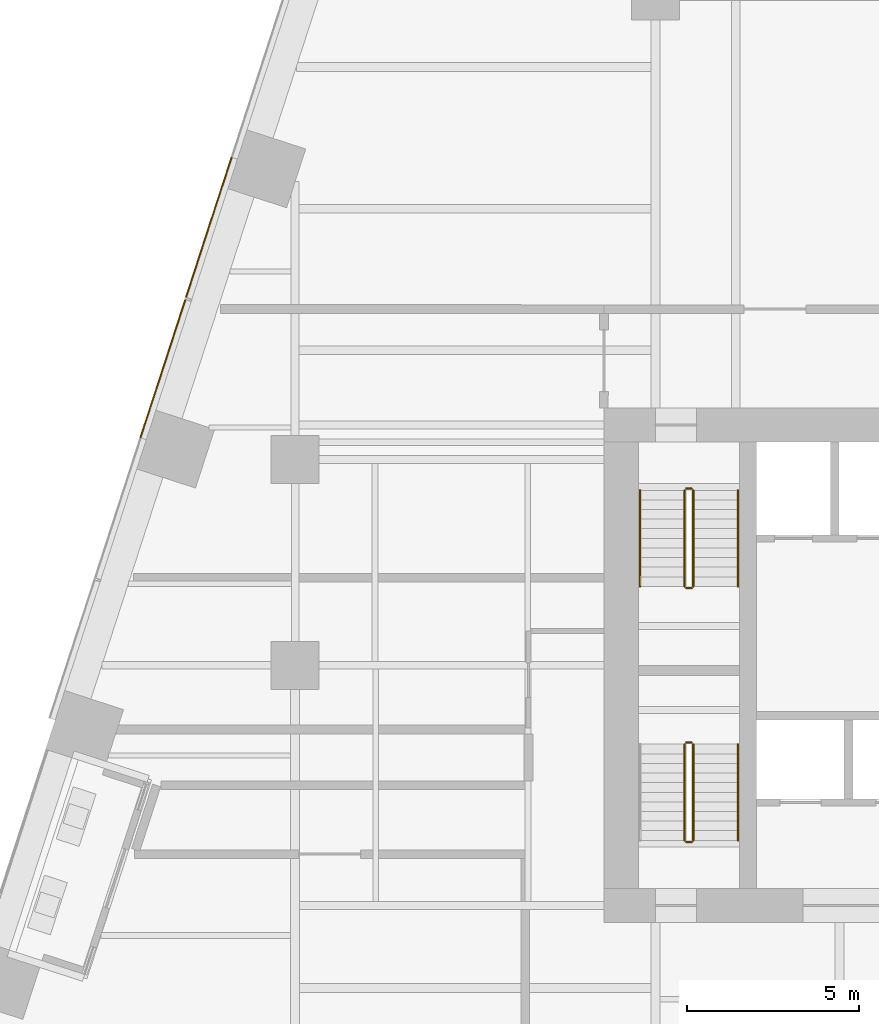
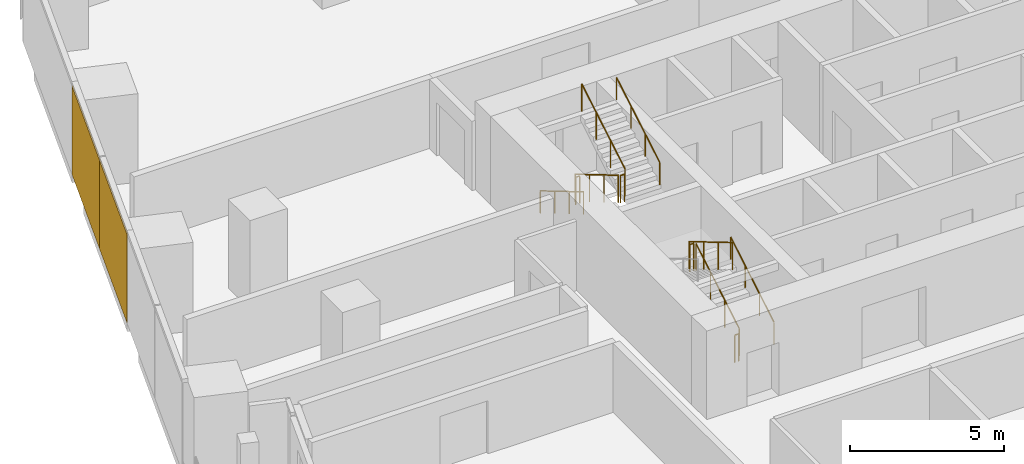
# One storey, part 28 of 31: 11 railings, 2 coverings, 1 element without a shape of its own.
"""IFC4 building model written with IfcOpenShell, lengths in metres."""

from ifc_helpers import new_model, si_unit, direction, frame, origin, origin_2d, place, context, subcontext, project, spatial, rectangle, circle, extrude, material, layer, layer_set, type_object, element, aggregate, save


model = new_model("IFC4")

# Units and contexts
model_context = context("Model", 3, precision=1e-05, world=origin(), true_north=direction((0.0, 1.0)))
body_context = subcontext(model_context, "Body", "Model", "MODEL_VIEW")
ifc_project = project(units=[si_unit("LENGTHUNIT", "METRE"), si_unit("AREAUNIT", "SQUARE_METRE"), si_unit("VOLUMEUNIT", "CUBIC_METRE"), si_unit("PLANEANGLEUNIT", "RADIAN"), si_unit("MASSUNIT", "GRAM", prefix="KILO")], contexts=[model_context])

# Site, building, storey
site_placement = place(None, origin())
site = spatial("IfcSite", under=ifc_project, at=site_placement, CompositionType="ELEMENT")
building_placement = place(site_placement, origin())
building = spatial("IfcBuilding", under=site, at=building_placement, Name="Isthmus Gate Tower", CompositionType="ELEMENT")
storey_placement = place(building_placement, frame((0.0, 0.0, 54.25)))
storey = spatial("IfcBuildingStorey", under=building, at=storey_placement, Name="L11", CompositionType="ELEMENT", Elevation=54.25)

# Curtain wall, coverings
ifc_material_1 = material(Name="Aluminium, pale champagne anodised", Category="aluminium")
ifc_layer_1 = layer(ifc_material_1, 0.199951171875)
ifc_layer_set_1 = layer_set([ifc_layer_1], Name="CW-1 UNITISED CURTAIN WALL 200 DEEP")
curtain_wall_type = type_object("IfcCurtainWallType", Name="CW-1 UNITISED CURTAIN WALL 200 DEEP", PredefinedType="NOTDEFINED", material=ifc_layer_set_1)
curtain_wall_placement = place(storey_placement, origin())
curtain_wall = element("IfcCurtainWall", 1, at=curtain_wall_placement, inside=storey, type_object=curtain_wall_type, Name="CW-1 NW L11", PredefinedType="NOTDEFINED")
ifc_material_2 = material(Name="Aluminium composite panel, pale champagne anodised", Category="aluminium")
ifc_layer_2 = layer(ifc_material_2, 0.0400390625)
ifc_layer_set_2 = layer_set([ifc_layer_2], Name="CW-1 PALE METAL PANEL 40")
covering_type = type_object("IfcCoveringType", Name="CW-1 PALE METAL PANEL 40", PredefinedType="CLADDING", material=ifc_layer_set_2)
covering_1_placement = place(storey_placement, frame((-26.51806640625, 20.25927734375, 0.0), z_axis=(0.0, 0.0, 1.0), x_axis=(-0.309016994375, -0.951056516295, 0.0)))
covering_1 = element("IfcCovering", 2, at=covering_1_placement, type_object=covering_type, Name="CW-1 pale metal panel", PredefinedType="CLADDING", context=body_context, shape_type="SweptSolid", body=[
    extrude(rectangle(XDim=4.294677734375, YDim=0.0400390625, at=origin_2d()), origin(), (0.0, 0.0, 1.0), 3.5),
])
covering_2_placement = place(storey_placement, frame((-27.8544921875, 16.146484375, 0.0), z_axis=(0.0, 0.0, 1.0), x_axis=(-0.309016994375, -0.951056516295, 0.0)))
covering_2 = element("IfcCovering", 3, at=covering_2_placement, type_object=covering_type, Name="CW-1 pale metal panel", PredefinedType="CLADDING", context=body_context, shape_type="SweptSolid", body=[
    extrude(rectangle(XDim=4.234619140625, YDim=0.0400390625, at=origin_2d()), origin(), (0.0, 0.0, 1.0), 3.5),
])
aggregate(curtain_wall, [covering_1, covering_2])

# Railings
ifc_material_3 = material(Name="Stainless steel balustrade", Category="steel")
railing_type_1 = type_object("IfcRailingType", Name="STAIR GUARD 1100", PredefinedType="GUARDRAIL", material=ifc_material_3)
railing_1_placement = place(storey_placement, frame((-12.64990234375, 12.60009765625, 0.166015625)))
element("IfcRailing", 4, at=railing_1_placement, inside=storey, type_object=railing_type_1, Name="L11 ST1 stair guard 1", PredefinedType="GUARDRAIL", context=body_context, shape_type="SweptSolid", body=[
    extrude(circle(Radius=0.02392578125, at=origin_2d()), frame((0.0, 0.0, 1.076171875), z_axis=(0.0, -0.860339051648, 0.50972219513), x_axis=(1.0, 0.0, 0.0)), (0.0, 0.0, 1.0), 3.254638671875),
    extrude(circle(Radius=0.02099609375, at=origin_2d()), origin(), (0.0, 0.0, 1.0), 1.052001953125),
    extrude(circle(Radius=0.02099609375, at=origin_2d()), frame((0.0, -0.933349609375, 0.552978515625)), (0.0, 0.0, 1.0), 1.052001953125),
    extrude(circle(Radius=0.02099609375, at=origin_2d()), frame((0.0, -1.86669921875, 1.10595703125)), (0.0, 0.0, 1.0), 1.052001953125),
    extrude(circle(Radius=0.02099609375, at=origin_2d()), frame((0.0, -2.800048828125, 1.658935546875)), (0.0, 0.0, 1.0), 1.052001953125),
])
railing_2_placement = place(storey_placement, frame((-12.60009765625, 9.75, 1.824951171875)))
element("IfcRailing", 5, at=railing_2_placement, inside=storey, type_object=railing_type_1, Name="L11 ST1 stair guard 2", PredefinedType="GUARDRAIL", context=body_context, shape_type="SweptSolid", body=[
    extrude(circle(Radius=0.02392578125, at=origin_2d()), frame((0.0, 0.0, 1.076171875), z_axis=(1.0, 0.0, 0.0), x_axis=(0.0, 1.0, 0.0)), (0.0, 0.0, 1.0), 0.150146484375),
    extrude(circle(Radius=0.02099609375, at=origin_2d()), origin(), (0.0, 0.0, 1.0), 1.052001953125),
    extrude(circle(Radius=0.02099609375, at=origin_2d()), frame((0.150146484375, 0.0, 0.0)), (0.0, 0.0, 1.0), 1.052001953125),
])
railing_3_placement = place(storey_placement, frame((-12.39990234375, 9.800048828125, 1.990966796875)))
element("IfcRailing", 6, at=railing_3_placement, inside=storey, type_object=railing_type_1, Name="L11 ST1 stair guard 3", PredefinedType="GUARDRAIL", context=body_context, shape_type="SweptSolid", body=[
    extrude(circle(Radius=0.02392578125, at=origin_2d()), frame((0.0, 0.0, 1.076171875), z_axis=(0.0, 0.860339051648, 0.50972219513), x_axis=(-1.0, 0.0, 0.0)), (0.0, 0.0, 1.0), 3.254638671875),
    extrude(circle(Radius=0.02099609375, at=origin_2d()), origin(), (0.0, 0.0, 1.0), 1.052001953125),
    extrude(circle(Radius=0.02099609375, at=origin_2d()), frame((0.0, 0.933349609375, 0.552978515625)), (0.0, 0.0, 1.0), 1.052001953125),
    extrude(circle(Radius=0.02099609375, at=origin_2d()), frame((0.0, 1.86669921875, 1.10595703125)), (0.0, 0.0, 1.0), 1.052001953125),
    extrude(circle(Radius=0.02099609375, at=origin_2d()), frame((0.0, 2.800048828125, 1.658935546875)), (0.0, 0.0, 1.0), 1.052001953125),
])
railing_4_placement = place(storey_placement, frame((-12.60009765625, 12.64990234375, 0.0)))
element("IfcRailing", 7, at=railing_4_placement, inside=storey, type_object=railing_type_1, Name="L11 ST1 stair guard 4", PredefinedType="GUARDRAIL", context=body_context, shape_type="SweptSolid", body=[
    extrude(circle(Radius=0.02392578125, at=origin_2d()), frame((0.0, 0.0, 1.076171875), z_axis=(1.0, 0.0, 0.0), x_axis=(0.0, 1.0, 0.0)), (0.0, 0.0, 1.0), 0.150146484375),
    extrude(circle(Radius=0.02099609375, at=origin_2d()), origin(), (0.0, 0.0, 1.0), 1.052001953125),
    extrude(circle(Radius=0.02099609375, at=origin_2d()), frame((0.150146484375, 0.0, 0.0)), (0.0, 0.0, 1.0), 1.052001953125),
])
railing_5_placement = place(storey_placement, frame((-12.39990234375, 2.39990234375, 0.166015625)))
element("IfcRailing", 8, at=railing_5_placement, inside=storey, type_object=railing_type_1, Name="L11 ST7 stair guard 1", PredefinedType="GUARDRAIL", context=body_context, shape_type="SweptSolid", body=[
    extrude(circle(Radius=0.02392578125, at=origin_2d()), frame((0.0, 0.0, 1.076171875), z_axis=(0.0, 0.860339051648, 0.50972219513), x_axis=(-1.0, 0.0, 0.0)), (0.0, 0.0, 1.0), 3.254638671875),
    extrude(circle(Radius=0.02099609375, at=origin_2d()), origin(), (0.0, 0.0, 1.0), 1.052001953125),
    extrude(circle(Radius=0.02099609375, at=origin_2d()), frame((0.0, 0.933349609375, 0.552978515625)), (0.0, 0.0, 1.0), 1.052001953125),
    extrude(circle(Radius=0.02099609375, at=origin_2d()), frame((0.0, 1.86669921875, 1.10595703125)), (0.0, 0.0, 1.0), 1.052001953125),
    extrude(circle(Radius=0.02099609375, at=origin_2d()), frame((0.0, 2.800048828125, 1.658935546875)), (0.0, 0.0, 1.0), 1.052001953125),
])
railing_6_placement = place(storey_placement, frame((-12.449951171875, 5.25, 1.824951171875)))
element("IfcRailing", 9, at=railing_6_placement, inside=storey, type_object=railing_type_1, Name="L11 ST7 stair guard 2", PredefinedType="GUARDRAIL", context=body_context, shape_type="SweptSolid", body=[
    extrude(circle(Radius=0.02392578125, at=origin_2d()), frame((0.0, 0.0, 1.076171875), z_axis=(-1.0, 0.0, 0.0), x_axis=(0.0, -1.0, 0.0)), (0.0, 0.0, 1.0), 0.150146484375),
    extrude(circle(Radius=0.02099609375, at=origin_2d()), origin(), (0.0, 0.0, 1.0), 1.052001953125),
    extrude(circle(Radius=0.02099609375, at=origin_2d()), frame((-0.150146484375, 0.0, 0.0)), (0.0, 0.0, 1.0), 1.052001953125),
])
railing_7_placement = place(storey_placement, frame((-12.64990234375, 5.199951171875, 1.990966796875)))
element("IfcRailing", 10, at=railing_7_placement, inside=storey, type_object=railing_type_1, Name="L11 ST7 stair guard 3", PredefinedType="GUARDRAIL", context=body_context, shape_type="SweptSolid", body=[
    extrude(circle(Radius=0.02392578125, at=origin_2d()), frame((0.0, 0.0, 1.076171875), z_axis=(0.0, -0.860339051648, 0.50972219513), x_axis=(1.0, 0.0, 0.0)), (0.0, 0.0, 1.0), 3.254638671875),
    extrude(circle(Radius=0.02099609375, at=origin_2d()), origin(), (0.0, 0.0, 1.0), 1.052001953125),
    extrude(circle(Radius=0.02099609375, at=origin_2d()), frame((0.0, -0.933349609375, 0.552978515625)), (0.0, 0.0, 1.0), 1.052001953125),
    extrude(circle(Radius=0.02099609375, at=origin_2d()), frame((0.0, -1.86669921875, 1.10595703125)), (0.0, 0.0, 1.0), 1.052001953125),
    extrude(circle(Radius=0.02099609375, at=origin_2d()), frame((0.0, -2.800048828125, 1.658935546875)), (0.0, 0.0, 1.0), 1.052001953125),
])
railing_8_placement = place(storey_placement, frame((-12.449951171875, 2.35009765625, 0.0)))
element("IfcRailing", 11, at=railing_8_placement, inside=storey, type_object=railing_type_1, Name="L11 ST7 stair guard 4", PredefinedType="GUARDRAIL", context=body_context, shape_type="SweptSolid", body=[
    extrude(circle(Radius=0.02392578125, at=origin_2d()), frame((0.0, 0.0, 1.076171875), z_axis=(-1.0, 0.0, 0.0), x_axis=(0.0, -1.0, 0.0)), (0.0, 0.0, 1.0), 0.150146484375),
    extrude(circle(Radius=0.02099609375, at=origin_2d()), origin(), (0.0, 0.0, 1.0), 1.052001953125),
    extrude(circle(Radius=0.02099609375, at=origin_2d()), frame((-0.150146484375, 0.0, 0.0)), (0.0, 0.0, 1.0), 1.052001953125),
])
ifc_material_4 = material(Name="Stainless steel handrail", Category="steel")
railing_type_2 = type_object("IfcRailingType", Name="STAIR HANDRAIL 900", PredefinedType="HANDRAIL", material=ifc_material_4)
railing_9_placement = place(storey_placement, frame((-13.949951171875, 12.60009765625, 0.166015625)))
element("IfcRailing", 12, at=railing_9_placement, inside=storey, type_object=railing_type_2, Name="L11 ST1 stair handrail 1", PredefinedType="HANDRAIL", context=body_context, shape_type="SweptSolid", body=[
    extrude(circle(Radius=0.02392578125, at=origin_2d()), frame((0.0, 0.0, 0.8759765625), z_axis=(0.0, -0.860339051648, 0.50972219513), x_axis=(1.0, 0.0, 0.0)), (0.0, 0.0, 1.0), 3.254638671875),
    extrude(circle(Radius=0.02099609375, at=origin_2d()), origin(), (0.0, 0.0, 1.0), 0.851806640625),
    extrude(circle(Radius=0.02099609375, at=origin_2d()), frame((0.0, -0.933349609375, 0.552978515625)), (0.0, 0.0, 1.0), 0.851806640625),
    extrude(circle(Radius=0.02099609375, at=origin_2d()), frame((0.0, -1.86669921875, 1.10595703125)), (0.0, 0.0, 1.0), 0.851806640625),
    extrude(circle(Radius=0.02099609375, at=origin_2d()), frame((0.0, -2.800048828125, 1.658935546875)), (0.0, 0.0, 1.0), 0.851806640625),
])
for number, where, name in (
    (13, (-11.10009765625, 9.800048828125, 1.990966796875), "L11 ST1 stair handrail 2"),
    (14, (-11.10009765625, 2.39990234375, 0.166015625), "L11 ST7 stair handrail 1"),
):
    element("IfcRailing", number, at=place(storey_placement, frame(where)), inside=storey, type_object=railing_type_2, Name=name, PredefinedType="HANDRAIL", context=body_context, shape_type="SweptSolid", body=[
        extrude(circle(Radius=0.02392578125, at=origin_2d()), frame((0.0, 0.0, 0.8759765625), z_axis=(0.0, 0.860339051648, 0.50972219513), x_axis=(-1.0, 0.0, 0.0)), (0.0, 0.0, 1.0), 3.254638671875),
        extrude(circle(Radius=0.02099609375, at=origin_2d()), origin(), (0.0, 0.0, 1.0), 0.851806640625),
        extrude(circle(Radius=0.02099609375, at=origin_2d()), frame((0.0, 0.933349609375, 0.552978515625)), (0.0, 0.0, 1.0), 0.851806640625),
        extrude(circle(Radius=0.02099609375, at=origin_2d()), frame((0.0, 1.86669921875, 1.10595703125)), (0.0, 0.0, 1.0), 0.851806640625),
        extrude(circle(Radius=0.02099609375, at=origin_2d()), frame((0.0, 2.800048828125, 1.658935546875)), (0.0, 0.0, 1.0), 0.851806640625),
    ])

save(model, "model.ifc")
